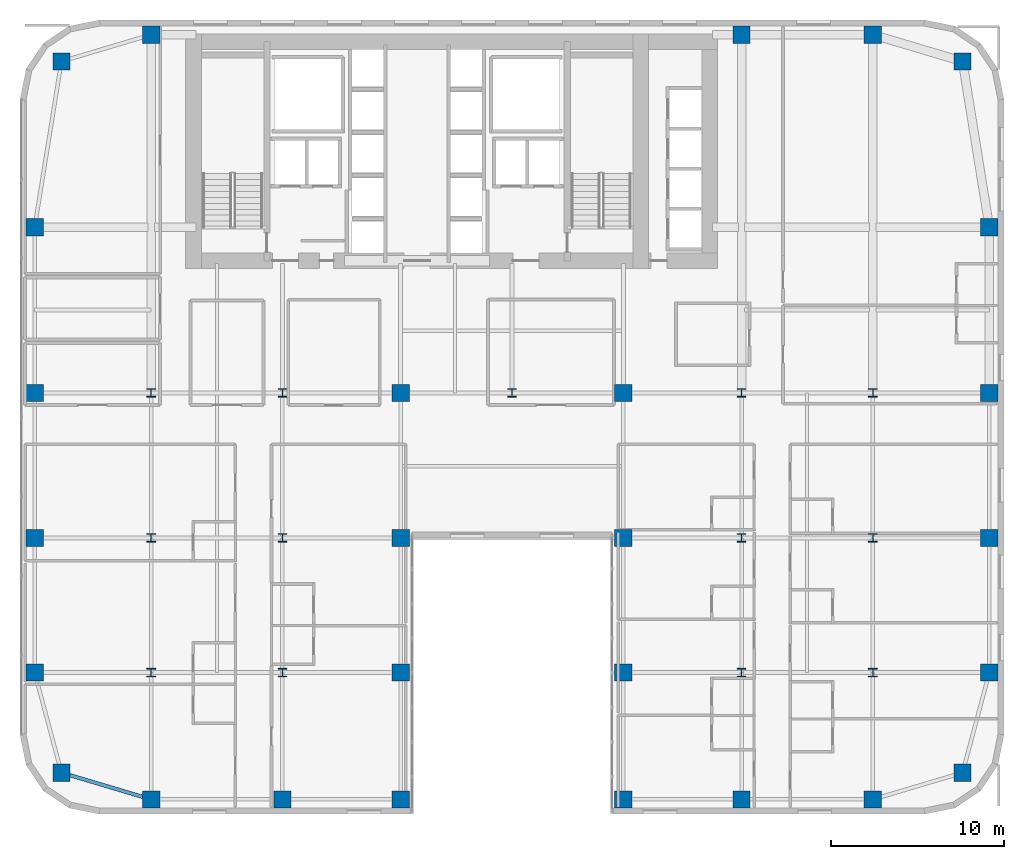
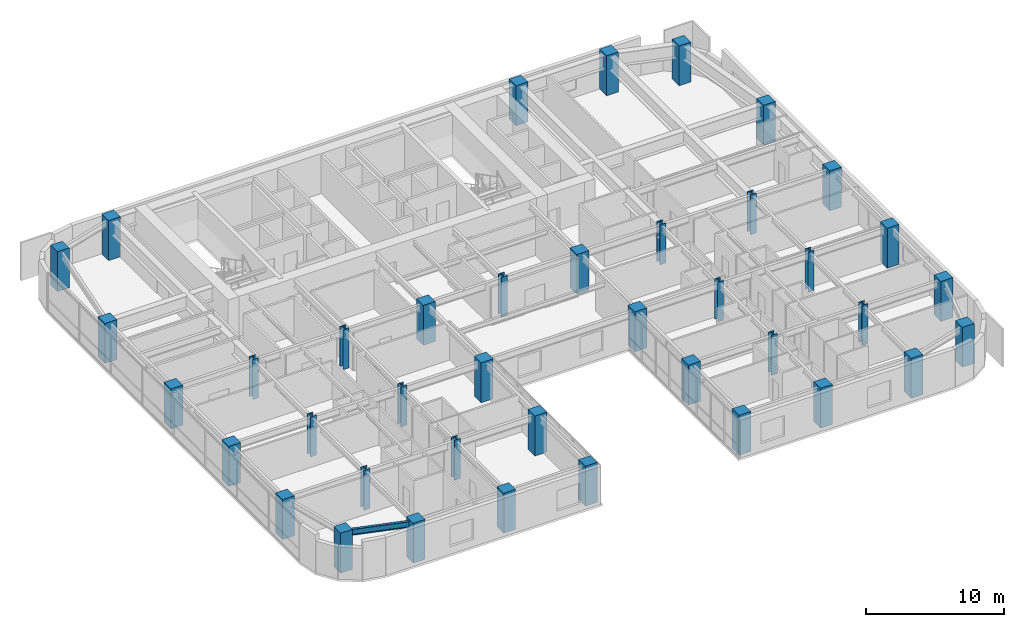
# One storey, part 1 of 30: 40 columns, 1 beam.
"""IFC4 building model written with IfcOpenShell, lengths in metres."""

from ifc_helpers import new_model, si_unit, direction, frame, origin, origin_2d, place, context, subcontext, project, spatial, rectangle, i_section, extrude, source, transform, mapped, material, material_profile, profile_set, type_object, type_shapes, element, save


model = new_model("IFC4")

# Units and contexts
model_context = context("Model", 3, precision=1e-05, world=origin(), true_north=direction((0.0, 1.0)))
body_context = subcontext(model_context, "Body", "Model", "MODEL_VIEW")
ifc_project = project(units=[si_unit("LENGTHUNIT", "METRE"), si_unit("AREAUNIT", "SQUARE_METRE"), si_unit("VOLUMEUNIT", "CUBIC_METRE"), si_unit("PLANEANGLEUNIT", "RADIAN"), si_unit("MASSUNIT", "GRAM", prefix="KILO")], contexts=[model_context])

# Site, building, storey
site_placement = place(None, origin())
site = spatial("IfcSite", under=ifc_project, at=site_placement, CompositionType="ELEMENT")
building_placement = place(site_placement, origin())
building = spatial("IfcBuilding", under=site, at=building_placement, Name="Tolvann Quenvar Hotel", CompositionType="ELEMENT")
storey_placement = place(building_placement, frame((0.0, 0.0, 56.85009765625)))
storey = spatial("IfcBuildingStorey", under=building, at=storey_placement, Name="L13", CompositionType="ELEMENT", Elevation=56.85009765625)

# Columns
ifc_material_1 = material(Name="Concrete S65 (65 MPa)", Category="concrete")
ifc_material_profile_1 = material_profile(ifc_material_1, rectangle(XDim=1.0, YDim=1.0, at=origin_2d()), Name="RC1000x1000")
ifc_profile_set_1 = profile_set([ifc_material_profile_1], Name="Concrete S65 (65 MPa)")
column_type_1 = type_object("IfcColumnType", Name="COL_RC1000", PredefinedType="COLUMN", material=ifc_profile_set_1)
shared_shape_1 = source(origin(), body_context, "Body", "SweptSolid", [
    extrude(rectangle(XDim=1.0, YDim=1.0, at=origin_2d()), origin(), (0.0, 0.0, 1.0), 3.5498046875),
])
type_shapes(column_type_1, [shared_shape_1])
for number, where, z_axis, x_axis, name in (
    (1, (2.39990234375, 2.39990234375, 0.0), (0.0, 0.0, 1.0), (1.0, 0.0, 0.0), "Column B2 (L13)"),
    (2, (0.85009765625, 8.199951171875, 0.0), (0.0, 0.0, 1.0), (1.0, 0.0, 0.0), "Column B3 (L13)"),
    (3, (0.85009765625, 16.0, 0.0), (0.0, 0.0, 1.0), (1.0, 0.0, 0.0), "Column B4 (L13)"),
    (4, (0.85009765625, 24.39990234375, 0.0), (0.0, 0.0, 1.0), (1.0, 0.0, 0.0), "Column B5 (L13)"),
    (5, (7.60009765625, 0.85009765625, 0.0), (0.0, 0.0, 1.0), (1.0, 0.0, 0.0), "Column C2 (L13)"),
    (6, (15.199951171875, 0.85009765625, 0.0), (0.0, 0.0, 1.0), (1.0, 0.0, 0.0), "Column D2 (L13)"),
    (7, (22.050048828125, 0.85009765625, 0.0), (0.0, 0.0, 1.0), (1.0, 0.0, 0.0), "Column E2 (L13)"),
    (8, (22.050048828125, 8.199951171875, 0.0), (0.0, 0.0, 1.0), (1.0, 0.0, 0.0), "Column E3 (L13)"),
    (9, (22.050048828125, 16.0, 0.0), (0.0, 0.0, 1.0), (1.0, 0.0, 0.0), "Column E4 (L13)"),
    (10, (22.050048828125, 24.39990234375, 0.0), (0.0, 0.0, 1.0), (1.0, 0.0, 0.0), "Column E5 (L13)"),
    (11, (34.949951171875, 0.85009765625, 0.0), (0.0, 0.0, 1.0), (1.0, 0.0, 0.0), "Column F2 (L13)"),
    (12, (34.949951171875, 8.199951171875, 0.0), (0.0, 0.0, 1.0), (1.0, 0.0, 0.0), "Column F3 (L13)"),
    (13, (34.949951171875, 16.0, 0.0), (0.0, 0.0, 1.0), (1.0, 0.0, 0.0), "Column F4 (L13)"),
    (14, (34.949951171875, 24.39990234375, 0.0), (0.0, 0.0, 1.0), (1.0, 0.0, 0.0), "Column F5 (L13)"),
    (15, (41.800048828125, 0.85009765625, 0.0), (0.0, 0.0, 1.0), (1.0, 0.0, 0.0), "Column H2 (L13)"),
    (16, (49.39990234375, 0.85009765625, 0.0), (0.0, 0.0, 1.0), (1.0, 0.0, 0.0), "Column I2 (L13)"),
    (17, (54.60009765625, 2.39990234375, 0.0), (0.0, 0.0, 1.0), (1.0, 0.0, 0.0), "Column J2 (L13)"),
    (18, (56.14990234375, 8.199951171875, 0.0), (0.0, 0.0, 1.0), (1.0, 0.0, 0.0), "Column J3 (L13)"),
    (19, (56.14990234375, 16.0, 0.0), (0.0, 0.0, 1.0), (1.0, 0.0, 0.0), "Column J4 (L13)"),
    (20, (56.14990234375, 24.39990234375, 0.0), (0.0, 0.0, 1.0), (1.0, 0.0, 0.0), "Column J5 (L13)"),
    (21, (2.39990234375, 43.60009765625, 0.0), (0.0, 0.0, 1.0), (1.0, 0.0, 0.0), "Column BN (L13)"),
    (22, (7.60009765625, 45.14990234375, 0.0), (0.0, 0.0, 1.0), (1.0, 0.0, 0.0), "Column CN (L13)"),
    (23, (0.85009765625, 34.0, 0.0), (0.0, 0.0, 1.0), (1.0, 0.0, 0.0), "Column BD6 (L13)"),
    (24, (41.800048828125, 45.14990234375, 0.0), (0.0, 0.0, 1.0), (1.0, 0.0, 0.0), "Column HN (L13)"),
    (25, (49.39990234375, 45.14990234375, 0.0), (0.0, 0.0, 1.0), (1.0, 0.0, 0.0), "Column IN (L13)"),
    (26, (54.60009765625, 43.60009765625, 0.0), (0.0, 0.0, 1.0), (1.0, 0.0, 0.0), "Column JN (L13)"),
    (27, (56.14990234375, 34.0, 0.0), (0.0, 0.0, 1.0), (1.0, 0.0, 0.0), "Column JD6 (L13)"),
):
    element("IfcColumn", number, at=place(storey_placement, frame(where, z_axis=z_axis, x_axis=x_axis)), inside=storey, type_object=column_type_1, Name=name, PredefinedType="COLUMN", context=body_context, shape_type="MappedRepresentation", body=[
        mapped(shared_shape_1, transform((0.0, 0.0, 0.0), x_axis=(1.0, 0.0, 0.0), y_axis=(0.0, 1.0, 0.0), z_axis=(0.0, 0.0, 1.0), scale=1.0)),
    ])
ifc_material_2 = material(Name="Steel Grade 350", Category="steel")
ifc_material_profile_2 = material_profile(ifc_material_2, i_section(OverallWidth=0.5, OverallDepth=0.5, WebThickness=0.028076171875, FlangeThickness=0.044921875, at=origin_2d()), Name="500WC440")
ifc_profile_set_2 = profile_set([ifc_material_profile_2], Name="Steel Grade 350")
column_type_2 = type_object("IfcColumnType", Name="COL_500WC440", PredefinedType="COLUMN", material=ifc_profile_set_2)
shared_shape_2 = source(origin(), body_context, "Body", "SweptSolid", [
    extrude(i_section(OverallWidth=0.5, OverallDepth=0.5, WebThickness=0.028076171875, FlangeThickness=0.044921875, at=origin_2d()), origin(), (0.0, 0.0, 1.0), 3.5498046875),
])
type_shapes(column_type_2, [shared_shape_2])
for number, where, z_axis, x_axis, name in (
    (28, (7.60009765625, 8.199951171875, 0.0), (0.0, 0.0, 1.0), (1.0, 0.0, 0.0), "Column C3 (L13)"),
    (29, (7.60009765625, 16.0, 0.0), (0.0, 0.0, 1.0), (1.0, 0.0, 0.0), "Column C4 (L13)"),
    (30, (7.60009765625, 24.39990234375, 0.0), (0.0, 0.0, 1.0), (1.0, 0.0, 0.0), "Column C5 (L13)"),
    (31, (15.199951171875, 8.199951171875, 0.0), (0.0, 0.0, 1.0), (1.0, 0.0, 0.0), "Column D3 (L13)"),
    (32, (15.199951171875, 16.0, 0.0), (0.0, 0.0, 1.0), (1.0, 0.0, 0.0), "Column D4 (L13)"),
    (33, (15.199951171875, 24.39990234375, 0.0), (0.0, 0.0, 1.0), (1.0, 0.0, 0.0), "Column D5 (L13)"),
    (34, (41.800048828125, 8.199951171875, 0.0), (0.0, 0.0, 1.0), (1.0, 0.0, 0.0), "Column H3 (L13)"),
    (35, (41.800048828125, 16.0, 0.0), (0.0, 0.0, 1.0), (1.0, 0.0, 0.0), "Column H4 (L13)"),
    (36, (41.800048828125, 24.39990234375, 0.0), (0.0, 0.0, 1.0), (1.0, 0.0, 0.0), "Column H5 (L13)"),
    (37, (49.39990234375, 8.199951171875, 0.0), (0.0, 0.0, 1.0), (1.0, 0.0, 0.0), "Column I3 (L13)"),
    (38, (49.39990234375, 16.0, 0.0), (0.0, 0.0, 1.0), (1.0, 0.0, 0.0), "Column I4 (L13)"),
    (39, (49.39990234375, 24.39990234375, 0.0), (0.0, 0.0, 1.0), (1.0, 0.0, 0.0), "Column I5 (L13)"),
    (40, (28.5, 24.39990234375, 0.0), (0.0, 0.0, 1.0), (1.0, 0.0, 0.0), "Column M5 (L13)"),
):
    element("IfcColumn", number, at=place(storey_placement, frame(where, z_axis=z_axis, x_axis=x_axis)), inside=storey, type_object=column_type_2, Name=name, PredefinedType="COLUMN", context=body_context, shape_type="MappedRepresentation", body=[
        mapped(shared_shape_2, transform((0.0, 0.0, 0.0), x_axis=(1.0, 0.0, 0.0), y_axis=(0.0, 1.0, 0.0), z_axis=(0.0, 0.0, 1.0), scale=1.0)),
    ])

# Beam
ifc_material_profile_3 = material_profile(ifc_material_2, i_section(OverallWidth=0.208984375, OverallDepth=0.528076171875, WebThickness=0.009521484375, FlangeThickness=0.01318359375, FilletRadius=0.013916015625, at=origin_2d()), Name="530UB82")
ifc_profile_set_3 = profile_set([ifc_material_profile_3], Name="Steel Grade 350")
beam_type = type_object("IfcBeamType", Name="BM_SPAND_530UB82", PredefinedType="SPANDREL", material=ifc_profile_set_3)
shared_shape_3 = source(origin(), body_context, "Body", "SweptSolid", [
    extrude(i_section(OverallWidth=0.208984375, OverallDepth=0.528076171875, WebThickness=0.009521484375, FlangeThickness=0.01318359375, FilletRadius=0.013916015625, at=origin_2d()), origin(), (0.0, 0.0, 1.0), 5.42626953125),
])
type_shapes(beam_type, [shared_shape_3])
beam_placement = place(storey_placement, frame((2.39990234375, 2.39990234375, 3.10595703125), z_axis=(0.958344815522, -0.285613750654, 0.0), x_axis=(0.285613750654, 0.958344815522, 0.0)))
element("IfcBeam", 41, at=beam_placement, inside=storey, type_object=beam_type, Name="BM-L13-EW-2-B2-C2", PredefinedType="SPANDREL", context=body_context, shape_type="MappedRepresentation", body=[
    mapped(shared_shape_3, transform((0.0, 0.0, 0.0), x_axis=(1.0, 0.0, 0.0), y_axis=(0.0, 1.0, 0.0), z_axis=(0.0, 0.0, 1.0), scale=1.0)),
])

save(model, "model.ifc")
